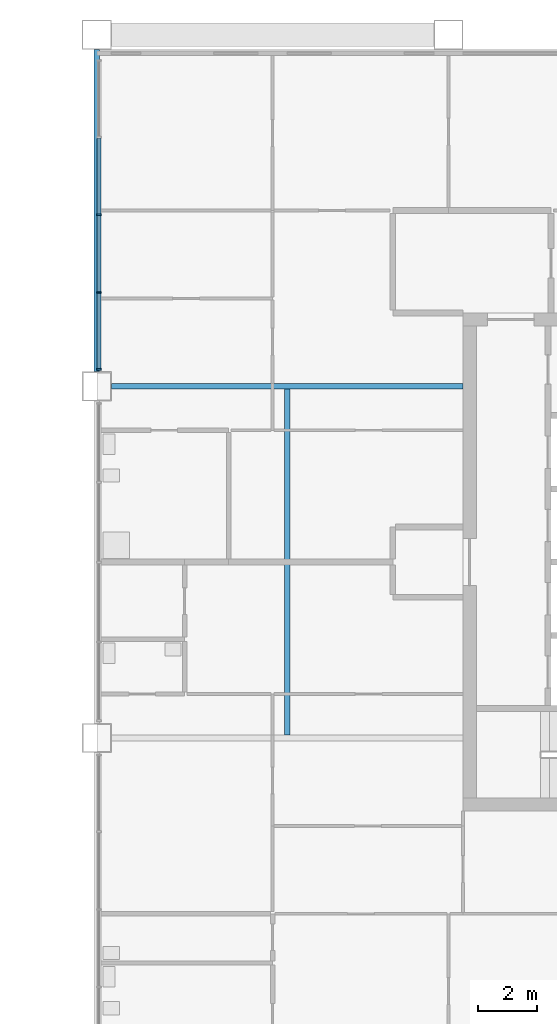
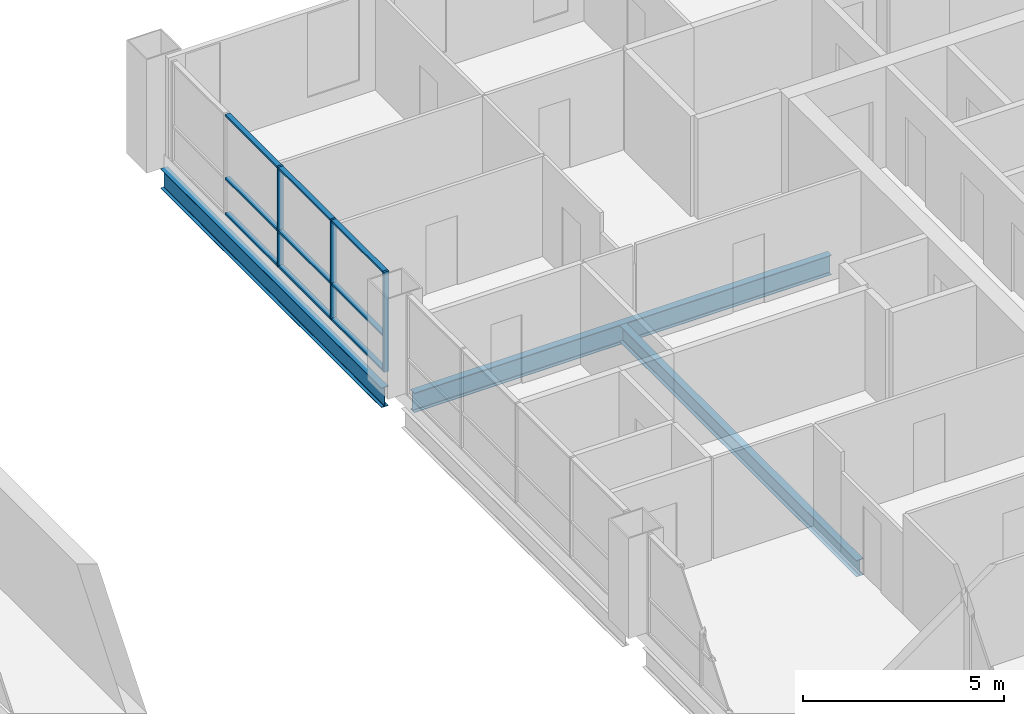
# One storey, part 4 of 13: 12 members, 3 beams, 1 element without a shape of its own.
"""IFC4 building model written with IfcOpenShell, lengths in metres."""

from ifc_helpers import new_model, si_unit, direction, frame, origin, origin_2d, place, context, subcontext, project, spatial, rectangle, i_section, extrude, material, material_profile, profile_set, type_object, element, aggregate, save


model = new_model("IFC4")

# Units and contexts
model_context = context("Model", 3, precision=1e-05, world=origin(), true_north=direction((0.0, 1.0)))
body_context = subcontext(model_context, "Body", "Model", "MODEL_VIEW")
ifc_project = project(units=[si_unit("LENGTHUNIT", "METRE"), si_unit("AREAUNIT", "SQUARE_METRE"), si_unit("VOLUMEUNIT", "CUBIC_METRE"), si_unit("PLANEANGLEUNIT", "RADIAN"), si_unit("MASSUNIT", "GRAM", prefix="KILO")], contexts=[model_context])

# Site, building, storey
site_placement = place(None, origin())
site = spatial("IfcSite", under=ifc_project, at=site_placement, CompositionType="ELEMENT")
building_placement = place(site_placement, origin())
building = spatial("IfcBuilding", under=site, at=building_placement, Name="Kitamizu Gate Tower and Museum", CompositionType="ELEMENT")
storey_placement = place(building_placement, frame((0.0, 0.0, 252.449951171875)))
storey = spatial("IfcBuildingStorey", under=building, at=storey_placement, Name="L68", CompositionType="ELEMENT", Elevation=252.449951171875)

# Beams
ifc_material_1 = material(Name="Steel SM490A", Category="steel")
ifc_material_profile_1 = material_profile(ifc_material_1, i_section(OverallWidth=0.199951171875, OverallDepth=0.5, WebThickness=0.010009765625, FlangeThickness=0.01611328125, FilletRadius=0.02001953125, at=origin_2d()), Name="H-500x200x10x16")
ifc_profile_set_1 = profile_set([ifc_material_profile_1], Name="Steel SM490A")
beam_type_1 = type_object("IfcBeamType", Name="Floor beam FB1 H 500x200x10x16", PredefinedType="BEAM", material=ifc_profile_set_1)
beam_1_placement = place(storey_placement, frame((42.5, 24.10009765625, -0.64990234375), z_axis=(0.0, 1.0, 0.0), x_axis=(-1.0, 0.0, 0.0)))
element("IfcBeam", 1, at=beam_1_placement, inside=storey, type_object=beam_type_1, Name="Floor beam FB1 L68-1", PredefinedType="BEAM", context=body_context, shape_type="SweptSolid", body=[
    extrude(i_section(OverallWidth=0.199951171875, OverallDepth=0.5, WebThickness=0.010009765625, FlangeThickness=0.01611328125, FilletRadius=0.02001953125, at=origin_2d()), origin(), (0.0, 0.0, 1.0), 11.7998046875),
])
ifc_material_2 = material(Name="Steel SM490A", Category="steel")
ifc_material_profile_2 = material_profile(ifc_material_2, i_section(OverallWidth=0.199951171875, OverallDepth=0.60009765625, WebThickness=0.010986328125, FlangeThickness=0.01708984375, FilletRadius=0.02197265625, at=origin_2d()), Name="H-600x200x11x17")
ifc_profile_set_2 = profile_set([ifc_material_profile_2], Name="Steel SM490A")
beam_type_2 = type_object("IfcBeamType", Name="Floor girder FG1 H 600x200x11x17", PredefinedType="BEAM", material=ifc_profile_set_2)
beam_2_placement = place(storey_placement, frame((36.0, 36.5, -0.699951171875), z_axis=(0.0, 1.0, 0.0), x_axis=(-1.0, 0.0, 0.0)))
element("IfcBeam", 2, at=beam_2_placement, inside=storey, type_object=beam_type_2, Name="Floor girder FG1 x36 L68", PredefinedType="BEAM", context=body_context, shape_type="SweptSolid", body=[
    extrude(i_section(OverallWidth=0.199951171875, OverallDepth=0.60009765625, WebThickness=0.010986328125, FlangeThickness=0.01708984375, FilletRadius=0.02197265625, at=origin_2d()), origin(), (0.0, 0.0, 1.0), 11.0),
])
beam_3_placement = place(storey_placement, frame((36.5, 36.0, -0.699951171875), z_axis=(1.0, 0.0, 0.0), x_axis=(0.0, 1.0, 0.0)))
element("IfcBeam", 3, at=beam_3_placement, inside=storey, type_object=beam_type_2, Name="Floor girder FG1 y36 L68", PredefinedType="BEAM", context=body_context, shape_type="SweptSolid", body=[
    extrude(i_section(OverallWidth=0.199951171875, OverallDepth=0.60009765625, WebThickness=0.010986328125, FlangeThickness=0.01708984375, FilletRadius=0.02197265625, at=origin_2d()), origin(), (0.0, 0.0, 1.0), 12.0),
])

# Curtain wall, members
ifc_material_3 = material(Name="Bronze anodised aluminium frame, tinted triple glazing", Category="aluminium")
curtain_wall_type = type_object("IfcCurtainWallType", Name="CURTAIN WALL TYPE C SKY AMENITY", PredefinedType="NOTDEFINED", material=ifc_material_3)
curtain_wall_placement = place(storey_placement, origin())
curtain_wall = element("IfcCurtainWall", 4, at=curtain_wall_placement, inside=storey, type_object=curtain_wall_type, Name="Curtain wall CW-C portal E L68", PredefinedType="NOTDEFINED")
ifc_material_4 = material(Name="Bronze anodised aluminium", Category="aluminium")
ifc_material_profile_3 = material_profile(ifc_material_4, rectangle(XDim=0.06005859375, YDim=0.14990234375, at=origin_2d()), Name="AL 60X150")
ifc_profile_set_3 = profile_set([ifc_material_profile_3], Name="Bronze anodised aluminium")
member_type_1 = type_object("IfcMemberType", Name="MULLION 60 X 150 TYPE C", PredefinedType="MULLION", material=ifc_profile_set_3)
member_1_placement = place(storey_placement, frame((36.074951171875, 36.5849609375, 0.0), z_axis=(0.0, 0.0, 1.0), x_axis=(0.0, 1.0, 0.0)))
member_1 = element("IfcMember", 5, at=member_1_placement, type_object=member_type_1, Name="CW-C mullion 1", PredefinedType="MULLION", context=body_context, shape_type="SweptSolid", body=[
    extrude(rectangle(XDim=0.06005859375, YDim=0.14990234375, at=origin_2d()), origin(), (0.0, 0.0, 1.0), 3.050048828125),
])
member_2_placement = place(storey_placement, frame((36.074951171875, 39.203857421875, 0.0), z_axis=(0.0, 0.0, 1.0), x_axis=(0.0, 1.0, 0.0)))
member_2 = element("IfcMember", 6, at=member_2_placement, type_object=member_type_1, Name="CW-C mullion 2", PredefinedType="MULLION", context=body_context, shape_type="SweptSolid", body=[
    extrude(rectangle(XDim=0.06005859375, YDim=0.14990234375, at=origin_2d()), origin(), (0.0, 0.0, 1.0), 3.050048828125),
])
member_3_placement = place(storey_placement, frame((36.074951171875, 41.8525390625, 0.0), z_axis=(0.0, 0.0, 1.0), x_axis=(0.0, 1.0, 0.0)))
member_3 = element("IfcMember", 7, at=member_3_placement, type_object=member_type_1, Name="CW-C mullion 3", PredefinedType="MULLION", context=body_context, shape_type="SweptSolid", body=[
    extrude(rectangle(XDim=0.06005859375, YDim=0.14990234375, at=origin_2d()), origin(), (0.0, 0.0, 1.0), 3.050048828125),
])
ifc_material_5 = material(Name="Bronze anodised aluminium", Category="aluminium")
ifc_material_profile_4 = material_profile(ifc_material_5, rectangle(XDim=0.139892578125, YDim=0.06005859375, at=origin_2d()), Name="AL 60X140")
ifc_profile_set_4 = profile_set([ifc_material_profile_4], Name="Bronze anodised aluminium")
member_type_2 = type_object("IfcMemberType", Name="TRANSOM 60 X 140 TYPE C", PredefinedType="USERDEFINED", material=ifc_profile_set_4)
member_4_placement = place(storey_placement, frame((36.074951171875, 36.614990234375, 0.030029296875), z_axis=(0.0, 1.0, 0.0), x_axis=(-1.0, 0.0, 0.0)))
member_4 = element("IfcMember", 8, at=member_4_placement, type_object=member_type_2, Name="CW-C transom 1.1", ObjectType="TRANSOM", PredefinedType="USERDEFINED", context=body_context, shape_type="SweptSolid", body=[
    extrude(rectangle(XDim=0.139892578125, YDim=0.06005859375, at=origin_2d()), origin(), (0.0, 0.0, 1.0), 2.558837890625),
])
member_5_placement = place(storey_placement, frame((36.074951171875, 36.614990234375, 1.10009765625), z_axis=(0.0, 1.0, 0.0), x_axis=(-1.0, 0.0, 0.0)))
member_5 = element("IfcMember", 9, at=member_5_placement, type_object=member_type_2, Name="CW-C transom 1.2", ObjectType="TRANSOM", PredefinedType="USERDEFINED", context=body_context, shape_type="SweptSolid", body=[
    extrude(rectangle(XDim=0.139892578125, YDim=0.06005859375, at=origin_2d()), origin(), (0.0, 0.0, 1.0), 2.558837890625),
])
member_6_placement = place(storey_placement, frame((36.074951171875, 36.614990234375, 3.02001953125), z_axis=(0.0, 1.0, 0.0), x_axis=(-1.0, 0.0, 0.0)))
member_6 = element("IfcMember", 10, at=member_6_placement, type_object=member_type_2, Name="CW-C transom 1.3", ObjectType="TRANSOM", PredefinedType="USERDEFINED", context=body_context, shape_type="SweptSolid", body=[
    extrude(rectangle(XDim=0.139892578125, YDim=0.06005859375, at=origin_2d()), origin(), (0.0, 0.0, 1.0), 2.558837890625),
])
member_7_placement = place(storey_placement, frame((36.074951171875, 39.233642578125, 0.030029296875), z_axis=(0.0, 1.0, 0.0), x_axis=(-1.0, 0.0, 0.0)))
member_7 = element("IfcMember", 11, at=member_7_placement, type_object=member_type_2, Name="CW-C transom 2.1", ObjectType="TRANSOM", PredefinedType="USERDEFINED", context=body_context, shape_type="SweptSolid", body=[
    extrude(rectangle(XDim=0.139892578125, YDim=0.06005859375, at=origin_2d()), origin(), (0.0, 0.0, 1.0), 2.5888671875),
])
member_8_placement = place(storey_placement, frame((36.074951171875, 39.233642578125, 1.10009765625), z_axis=(0.0, 1.0, 0.0), x_axis=(-1.0, 0.0, 0.0)))
member_8 = element("IfcMember", 12, at=member_8_placement, type_object=member_type_2, Name="CW-C transom 2.2", ObjectType="TRANSOM", PredefinedType="USERDEFINED", context=body_context, shape_type="SweptSolid", body=[
    extrude(rectangle(XDim=0.139892578125, YDim=0.06005859375, at=origin_2d()), origin(), (0.0, 0.0, 1.0), 2.5888671875),
])
member_9_placement = place(storey_placement, frame((36.074951171875, 39.233642578125, 3.02001953125), z_axis=(0.0, 1.0, 0.0), x_axis=(-1.0, 0.0, 0.0)))
member_9 = element("IfcMember", 13, at=member_9_placement, type_object=member_type_2, Name="CW-C transom 2.3", ObjectType="TRANSOM", PredefinedType="USERDEFINED", context=body_context, shape_type="SweptSolid", body=[
    extrude(rectangle(XDim=0.139892578125, YDim=0.06005859375, at=origin_2d()), origin(), (0.0, 0.0, 1.0), 2.5888671875),
])
member_10_placement = place(storey_placement, frame((36.074951171875, 41.882568359375, 0.030029296875), z_axis=(0.0, 1.0, 0.0), x_axis=(-1.0, 0.0, 0.0)))
member_10 = element("IfcMember", 14, at=member_10_placement, type_object=member_type_2, Name="CW-C transom 3.1", ObjectType="TRANSOM", PredefinedType="USERDEFINED", context=body_context, shape_type="SweptSolid", body=[
    extrude(rectangle(XDim=0.139892578125, YDim=0.06005859375, at=origin_2d()), origin(), (0.0, 0.0, 1.0), 2.588623046875),
])
member_11_placement = place(storey_placement, frame((36.074951171875, 41.882568359375, 1.10009765625), z_axis=(0.0, 1.0, 0.0), x_axis=(-1.0, 0.0, 0.0)))
member_11 = element("IfcMember", 15, at=member_11_placement, type_object=member_type_2, Name="CW-C transom 3.2", ObjectType="TRANSOM", PredefinedType="USERDEFINED", context=body_context, shape_type="SweptSolid", body=[
    extrude(rectangle(XDim=0.139892578125, YDim=0.06005859375, at=origin_2d()), origin(), (0.0, 0.0, 1.0), 2.588623046875),
])
member_12_placement = place(storey_placement, frame((36.074951171875, 41.882568359375, 3.02001953125), z_axis=(0.0, 1.0, 0.0), x_axis=(-1.0, 0.0, 0.0)))
member_12 = element("IfcMember", 16, at=member_12_placement, type_object=member_type_2, Name="CW-C transom 3.3", ObjectType="TRANSOM", PredefinedType="USERDEFINED", context=body_context, shape_type="SweptSolid", body=[
    extrude(rectangle(XDim=0.139892578125, YDim=0.06005859375, at=origin_2d()), origin(), (0.0, 0.0, 1.0), 2.588623046875),
])
aggregate(curtain_wall, [member_1, member_2, member_3, member_4, member_5, member_6, member_7, member_8, member_9, member_10, member_11, member_12])

save(model, "model.ifc")
